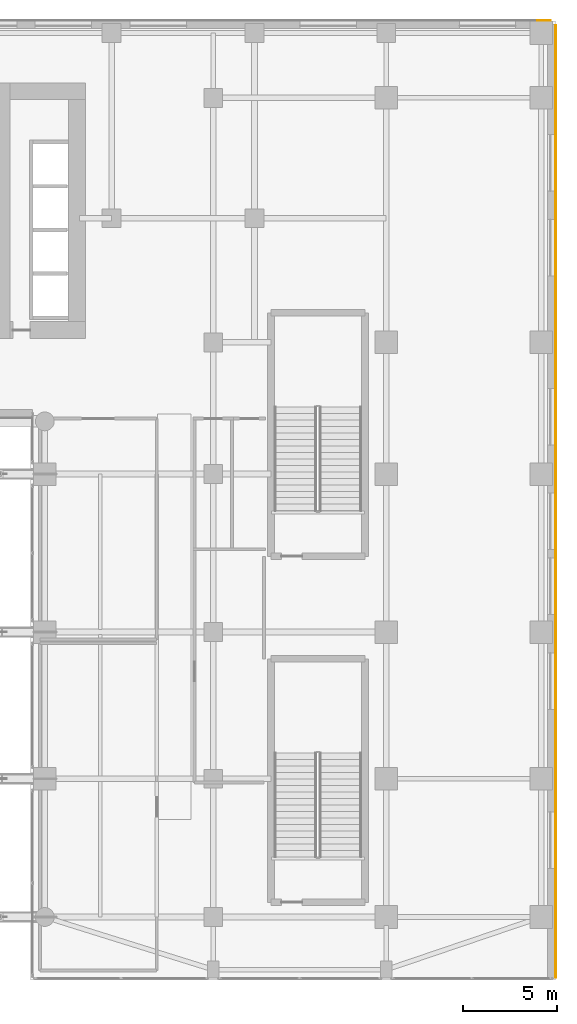
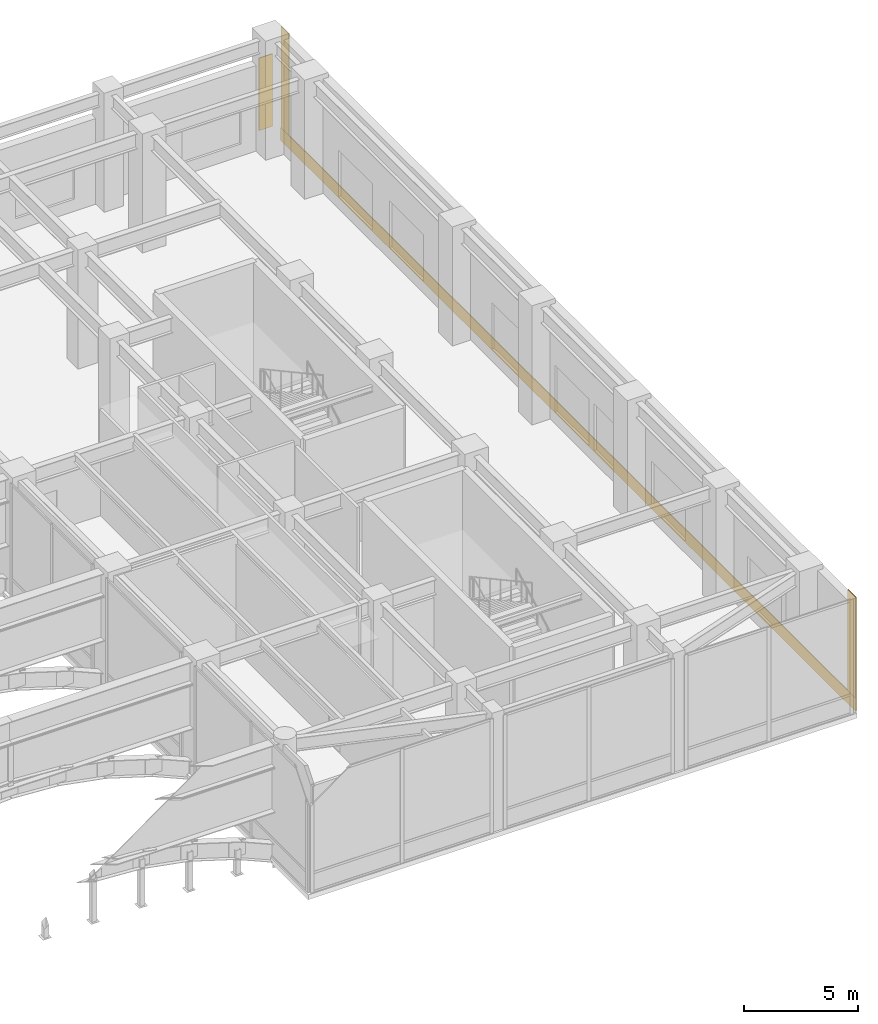
# One storey, part 50 of 50: 4 coverings.
"""IFC4 building model written with IfcOpenShell, lengths in metres."""

from ifc_helpers import new_model, si_unit, direction, frame, origin, place, context, subcontext, project, spatial, polyline, outline, extrude, material, layer, layer_set, type_object, element, save


model = new_model("IFC4")

# Units and contexts
model_context = context("Model", 3, precision=1e-05, world=origin(), true_north=direction((0.0, 1.0)))
body_context = subcontext(model_context, "Body", "Model", "MODEL_VIEW")
ifc_project = project(units=[si_unit("LENGTHUNIT", "METRE"), si_unit("AREAUNIT", "SQUARE_METRE"), si_unit("VOLUMEUNIT", "CUBIC_METRE"), si_unit("PLANEANGLEUNIT", "RADIAN"), si_unit("MASSUNIT", "GRAM", prefix="KILO")], contexts=[model_context])

# Site, building, storey
site_placement = place(None, origin())
site = spatial("IfcSite", under=ifc_project, at=site_placement, CompositionType="ELEMENT")
building_placement = place(site_placement, origin())
building = spatial("IfcBuilding", under=site, at=building_placement, Name="Tolvann Quenvar Hotel", CompositionType="ELEMENT")
storey_placement = place(building_placement, frame((0.0, 0.0, 16.0)))
storey = spatial("IfcBuildingStorey", under=building, at=storey_placement, Name="L03", CompositionType="ELEMENT", Elevation=16.0)

# Coverings
ifc_material_1 = material(Name="Kiln-fired red architectural face brick cladding", Category="masonry")
ifc_layer_1 = layer(ifc_material_1, 0.0400390625)
ifc_layer_set_1 = layer_set([ifc_layer_1], Name="Kiln-fired red architectural face brick cladding")
covering_type_1 = type_object("IfcCoveringType", Name="COV_CLAD_BRICK_40", PredefinedType="CLADDING", material=ifc_layer_set_1)
covering_1_placement = place(storey_placement, frame((0.0, 0.0, 0.699951171875)))
element("IfcCovering", 1, at=covering_1_placement, inside=storey, type_object=covering_type_1, Name="Brick Pier Cladding (L03-E05-P1)", PredefinedType="CLADDING", context=body_context, shape_type="SweptSolid", body=[
    extrude(outline(polyline([(65.39990234375, -2.360107421875), (65.39990234375, -1.659912109375), (65.43994140625, -1.659912109375), (65.43994140625, -2.360107421875), (65.39990234375, -2.360107421875)])), origin(), (0.0, 0.0, 1.0), 5.43994140625),
])
covering_2_placement = place(storey_placement, frame((0.0, 0.0, 0.699951171875)))
element("IfcCovering", 2, at=covering_2_placement, inside=storey, type_object=covering_type_1, Name="Brick Pier Cladding (L03-E05-P2)", PredefinedType="CLADDING", context=body_context, shape_type="SweptSolid", body=[
    extrude(outline(polyline([(65.39990234375, 47.5400390625), (65.39990234375, 48.239990234375), (65.43994140625, 48.239990234375), (65.43994140625, 47.5400390625), (65.39990234375, 47.5400390625)])), origin(), (0.0, 0.0, 1.0), 5.43994140625),
])
covering_3_placement = place(storey_placement, frame((0.0, 0.0, 0.699951171875)))
element("IfcCovering", 3, at=covering_3_placement, inside=storey, type_object=covering_type_1, Name="Brick Pier Cladding (L03-E06-P1)", PredefinedType="CLADDING", context=body_context, shape_type="SweptSolid", body=[
    extrude(outline(polyline([(65.139892578125, 48.5), (64.43994140625, 48.5), (64.43994140625, 48.5400390625), (65.139892578125, 48.5400390625), (65.139892578125, 48.5)])), origin(), (0.0, 0.0, 1.0), 3.900146484375),
])
ifc_material_2 = material(Name="Moulded buff architectural terracotta spandrel cladding", Category="masonry")
ifc_layer_2 = layer(ifc_material_2, 0.0400390625)
ifc_layer_set_2 = layer_set([ifc_layer_2], Name="Moulded buff architectural terracotta spandrel cladding")
covering_type_2 = type_object("IfcCoveringType", Name="COV_CLAD_TERRA_40", PredefinedType="CLADDING", material=ifc_layer_set_2)
covering_4_placement = place(storey_placement, origin())
element("IfcCovering", 4, at=covering_4_placement, inside=storey, type_object=covering_type_2, Name="Terracotta Spandrel Cladding (L03-E05)", PredefinedType="CLADDING", context=body_context, shape_type="SweptSolid", body=[
    extrude(outline(polyline([(65.39990234375, -2.3701171875), (65.39990234375, 48.25), (65.43994140625, 48.25), (65.43994140625, -2.3701171875), (65.39990234375, -2.3701171875)])), origin(), (0.0, 0.0, 1.0), 0.699951171875),
])

save(model, "model.ifc")
